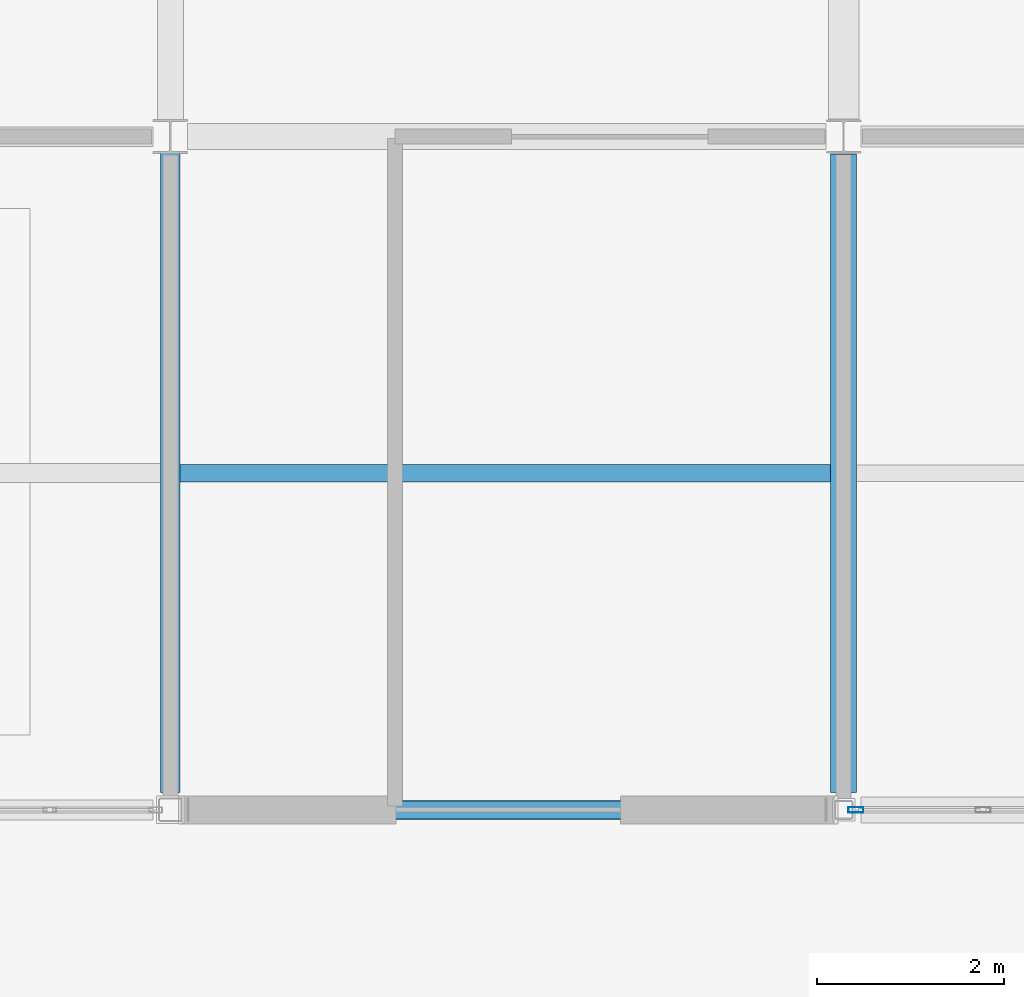
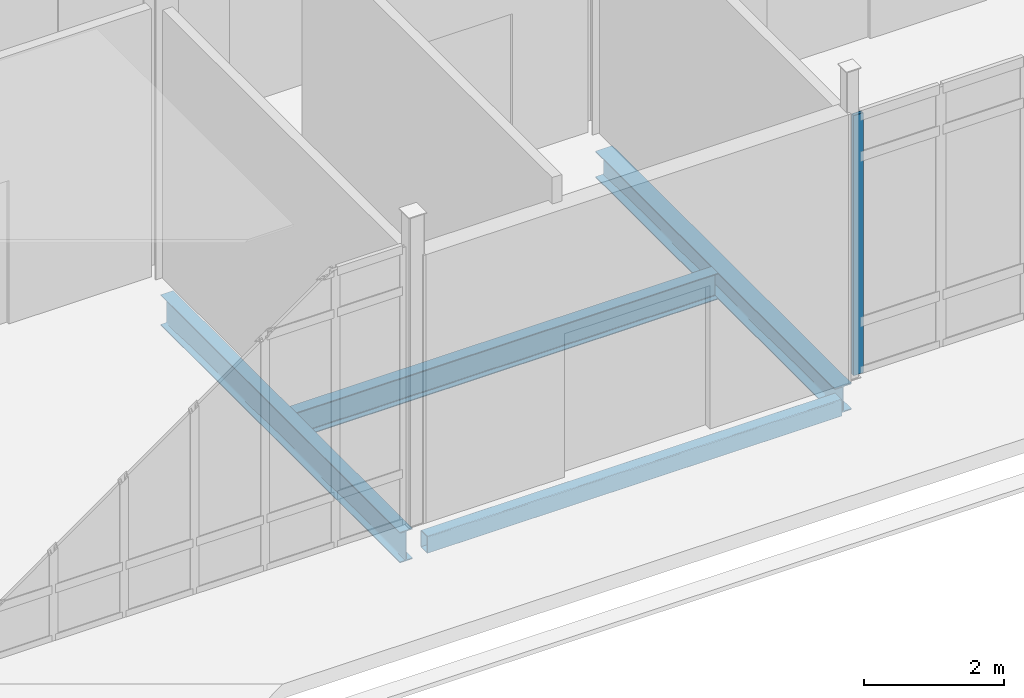
# One storey, part 115 of 229: 4 beams, 1 member, 1 element without a shape of its own.
"""IFC4 building model written with IfcOpenShell, lengths in metres."""

from ifc_helpers import new_model, si_unit, direction, frame, origin, origin_2d, place, context, subcontext, project, spatial, hollow_rectangle, i_section, extrude, material, layer, layer_set, material_profile, profile_set, type_object, element, aggregate, save


model = new_model("IFC4")

# Units and contexts
model_context = context("Model", 3, precision=1e-05, world=origin(), true_north=direction((0.0, 1.0)))
body_context = subcontext(model_context, "Body", "Model", "MODEL_VIEW")
ifc_project = project(units=[si_unit("LENGTHUNIT", "METRE"), si_unit("AREAUNIT", "SQUARE_METRE"), si_unit("VOLUMEUNIT", "CUBIC_METRE"), si_unit("PLANEANGLEUNIT", "RADIAN"), si_unit("MASSUNIT", "GRAM", prefix="KILO")], contexts=[model_context])

# Site, building, storey
site_placement = place(None, origin())
site = spatial("IfcSite", under=ifc_project, at=site_placement, CompositionType="ELEMENT")
building_placement = place(site_placement, origin())
building = spatial("IfcBuilding", under=site, at=building_placement, Name="Calvrana Isthmian Art Gallery", CompositionType="ELEMENT")
storey_placement = place(building_placement, origin())
storey = spatial("IfcBuildingStorey", under=building, at=storey_placement, Name="L00", CompositionType="ELEMENT", Elevation=0.0)

# Beams
ifc_material_1 = material(Name="Steel ASTM A992 Gr 50", Category="steel")
ifc_material_profile_1 = material_profile(ifc_material_1, i_section(OverallWidth=0.279052734375, OverallDepth=0.4619140625, WebThickness=0.0107421875, FlangeThickness=0.017333984375, FilletRadius=0.02001953125, at=origin_2d()), Name="W18X76")
ifc_profile_set_1 = profile_set([ifc_material_profile_1], Name="Steel ASTM A992 Gr 50")
beam_type_1 = type_object("IfcBeamType", Name="BM-G-W18X76", PredefinedType="BEAM", material=ifc_profile_set_1)
beam_1_placement = place(storey_placement, frame((141.60009765625, 0.18408203125, -0.51611328125), z_axis=(0.0, 1.0, 0.0), x_axis=(-1.0, 0.0, 0.0)))
element("IfcBeam", 1, at=beam_1_placement, inside=storey, type_object=beam_type_1, Name="Girder Y L00 19/A-B", PredefinedType="BEAM", context=body_context, shape_type="SweptSolid", body=[
    extrude(i_section(OverallWidth=0.279052734375, OverallDepth=0.4619140625, WebThickness=0.0107421875, FlangeThickness=0.017333984375, FilletRadius=0.02001953125, at=origin_2d()), origin(), (0.0, 0.0, 1.0), 6.829345703125),
])
ifc_material_profile_2 = material_profile(ifc_material_1, i_section(OverallWidth=0.208984375, OverallDepth=0.532958984375, WebThickness=0.01025390625, FlangeThickness=0.015625, FilletRadius=0.02099609375, at=origin_2d()), Name="W21X62")
ifc_profile_set_2 = profile_set([ifc_material_profile_2], Name="Steel ASTM A992 Gr 50")
beam_type_2 = type_object("IfcBeamType", Name="BM-G-W21X62", PredefinedType="BEAM", material=ifc_profile_set_2)
beam_2_placement = place(storey_placement, frame((134.39990234375, 0.1865234375, -0.551513671875), z_axis=(0.0, 1.0, 0.0), x_axis=(-1.0, 0.0, 0.0)))
element("IfcBeam", 2, at=beam_2_placement, inside=storey, type_object=beam_type_2, Name="Girder Y L00 18/A-B", PredefinedType="BEAM", context=body_context, shape_type="SweptSolid", body=[
    extrude(i_section(OverallWidth=0.208984375, OverallDepth=0.532958984375, WebThickness=0.01025390625, FlangeThickness=0.015625, FilletRadius=0.02099609375, at=origin_2d()), origin(), (0.0, 0.0, 1.0), 6.83544921875),
])
ifc_material_profile_3 = material_profile(ifc_material_1, i_section(OverallWidth=0.19091796875, OverallDepth=0.45703125, WebThickness=0.009033203125, FlangeThickness=0.014404296875, FilletRadius=0.02001953125, at=origin_2d()), Name="W18X50")
ifc_profile_set_3 = profile_set([ifc_material_profile_3], Name="Steel ASTM A992 Gr 50")
beam_type_3 = type_object("IfcBeamType", Name="BM-J-W18X50", PredefinedType="JOIST", material=ifc_profile_set_3)
beam_3_placement = place(storey_placement, frame((134.50439453125, 3.60009765625, -0.513427734375), z_axis=(1.0, 0.0, 0.0), x_axis=(0.0, 1.0, 0.0)))
element("IfcBeam", 3, at=beam_3_placement, inside=storey, type_object=beam_type_3, Name="Composite joist L00 bay 17-00", PredefinedType="JOIST", context=body_context, shape_type="SweptSolid", body=[
    extrude(i_section(OverallWidth=0.19091796875, OverallDepth=0.45703125, WebThickness=0.009033203125, FlangeThickness=0.014404296875, FilletRadius=0.02001953125, at=origin_2d()), origin(), (0.0, 0.0, 1.0), 6.9560546875),
])
ifc_material_2 = material(Name="Steel ASTM A500 Gr C", Category="steel")
ifc_material_profile_4 = material_profile(ifc_material_2, hollow_rectangle(XDim=0.203125, YDim=0.3046875, WallThickness=0.0126953125, OuterFilletRadius=0.02490234375, at=origin_2d()), Name="HSS305X203X12.7")
ifc_profile_set_4 = profile_set([ifc_material_profile_4], Name="Steel ASTM A500 Gr C")
beam_type_4 = type_object("IfcBeamType", Name="BM-SP-HSS305", PredefinedType="SPANDREL", material=ifc_profile_set_4)
beam_4_placement = place(storey_placement, frame((134.58642578125, 0.0, -0.4375), z_axis=(1.0, 0.0, 0.0), x_axis=(0.0, 1.0, 0.0)))
element("IfcBeam", 4, at=beam_4_placement, inside=storey, type_object=beam_type_4, Name="Girder X L00 18-19/A", PredefinedType="SPANDREL", context=body_context, shape_type="SweptSolid", body=[
    extrude(hollow_rectangle(XDim=0.203125, YDim=0.3046875, WallThickness=0.0126953125, OuterFilletRadius=0.02490234375, at=origin_2d()), origin(), (0.0, 0.0, 1.0), 6.8271484375),
])

# Curtain wall, member
ifc_material_3 = material(Name="Anodized bronze aluminium 6063-T6", Category="aluminium")
ifc_layer = layer(ifc_material_3, 0.179931640625, Name="Anodized bronze aluminium 6063-T6")
ifc_layer_set = layer_set([ifc_layer], Name="Anodized bronze aluminium 6063-T6")
curtain_wall_type = type_object("IfcCurtainWallType", Name="CW-UNIT-069X45", PredefinedType="USERDEFINED", material=ifc_layer_set)
curtain_wall_placement = place(storey_placement, origin())
curtain_wall = element("IfcCurtainWall", 5, at=curtain_wall_placement, inside=storey, type_object=curtain_wall_type, Name="Curtain wall CW-013", ObjectType="UNITISED CURTAIN WALL", PredefinedType="USERDEFINED")
ifc_material_profile_5 = material_profile(ifc_material_3, hollow_rectangle(XDim=0.06005859375, YDim=0.159912109375, WallThickness=0.00390625, at=origin_2d()), Name="CWM60X160")
ifc_profile_set_5 = profile_set([ifc_material_profile_5], Name="Anodized bronze aluminium 6063-T6")
member_type = type_object("IfcMemberType", Name="CWM-CWM60X160", PredefinedType="MULLION", material=ifc_profile_set_5)
member_placement = place(storey_placement, frame((141.731689453125, 0.0, 0.0), z_axis=(0.0, 0.0, 1.0), x_axis=(0.0, -1.0, 0.0)))
member = element("IfcMember", 6, at=member_placement, type_object=member_type, Name="CW-013 mullion 6", PredefinedType="MULLION", context=body_context, shape_type="SweptSolid", body=[
    extrude(hollow_rectangle(XDim=0.06005859375, YDim=0.159912109375, WallThickness=0.00390625, at=origin_2d()), origin(), (0.0, 0.0, 1.0), 4.532958984375),
])
aggregate(curtain_wall, [member])

save(model, "model.ifc")
